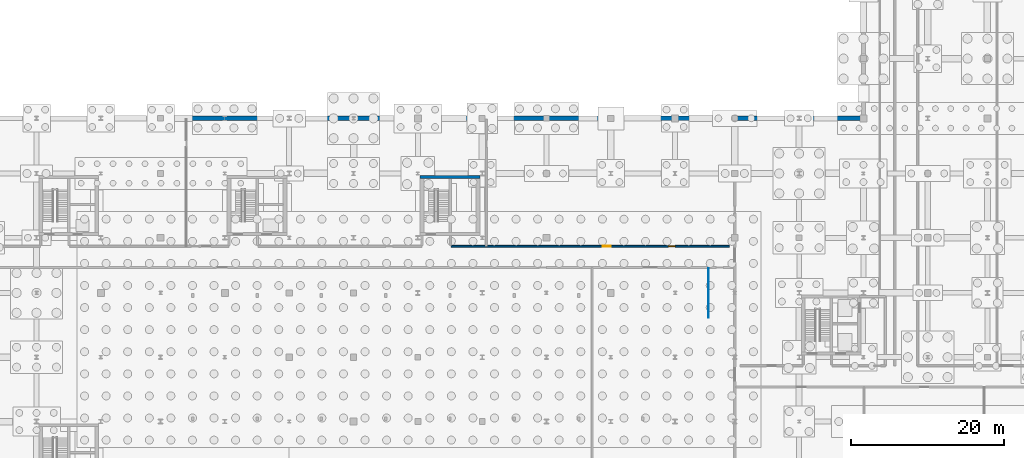
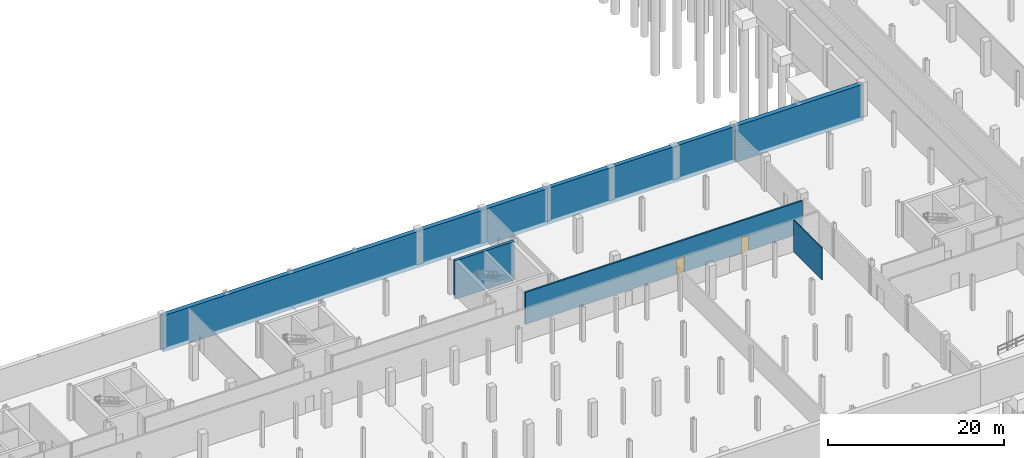
# One storey, part 24 of 32: 6 walls, 2 doors, 2 openings.
"""IFC4 building model written with IfcOpenShell, lengths in metres."""

from ifc_helpers import new_model, si_unit, direction, frame, frame_2d, origin_with_axes, place, context, subcontext, project, spatial, rectangle, extrude, material, layer, layer_set, type_object, element, fill, save


model = new_model("IFC4")

# Units and contexts
model_context = context("Model", 3, precision=1e-05, world=origin_with_axes(), true_north=direction((0.0, 1.0)))
body_context = subcontext(model_context, "Body", "Model", "MODEL_VIEW")
ifc_project = project(units=[si_unit("LENGTHUNIT", "METRE"), si_unit("AREAUNIT", "SQUARE_METRE"), si_unit("VOLUMEUNIT", "CUBIC_METRE"), si_unit("PLANEANGLEUNIT", "RADIAN"), si_unit("MASSUNIT", "GRAM", prefix="KILO"), si_unit("THERMODYNAMICTEMPERATUREUNIT", "KELVIN")], contexts=[model_context])

# Site, building, storey
site_placement = place(None, origin_with_axes())
site = spatial("IfcSite", under=ifc_project, at=site_placement, CompositionType="ELEMENT")
building_placement = place(site_placement, origin_with_axes())
building = spatial("IfcBuilding", under=site, at=building_placement, Name="Montbau Bow Law Courts", CompositionType="ELEMENT")
storey_placement = place(building_placement, frame((0.0, 0.0, -4.8), z_axis=(0.0, 0.0, 1.0), x_axis=(1.0, 0.0, 0.0)))
storey = spatial("IfcBuildingStorey", under=building, at=storey_placement, Name="B1", CompositionType="ELEMENT", Elevation=-4.8)

# Wall
ifc_material_1 = material(Name="Concrete CSA A23.1 f'c 45 MPa", Category="concrete")
ifc_layer_1 = layer(ifc_material_1, 0.38, Name="Shear Wall", Category="concrete")
ifc_layer_set_1 = layer_set([ifc_layer_1], Name="Concrete CSA A23.1 f'c 45 MPa")
wall_type_1 = type_object("IfcWallType", Name="W-COR-04", PredefinedType="SHEAR", material=ifc_layer_set_1)
wall_1_placement = place(None, frame((88.51, 54.12, -5.35), z_axis=(0.0, 0.0, 1.0), x_axis=(-1.0, 0.0, 0.0)))
element("IfcWall", 1, at=wall_1_placement, inside=storey, type_object=wall_type_1, Name="WC-B1-0215:wal_0282", PredefinedType="SHEAR", context=body_context, shape_type="SweptSolid", body=[
    extrude(rectangle(XDim=7.820000000000007, YDim=0.38, at=frame_2d((3.91, 0.0), x_axis=(1.0, 0.0))), origin_with_axes(), (0.0, 0.0, 1.0), 5.35),
])

# Wall, openings, doors
ifc_material_2 = material(Name="STC-60 High-Acoustic Courtroom Perimeter Partition", Category="gypsum")
ifc_layer_2 = layer(ifc_material_2, 0.22, Name="Partition", Category="gypsum")
ifc_layer_set_2 = layer_set([ifc_layer_2], Name="STC-60 High-Acoustic Courtroom Perimeter Partition")
wall_type_2 = type_object("IfcWallType", Name="W-PRT-02", PredefinedType="PARTITIONING", material=ifc_layer_set_2)
wall_2_placement = place(None, frame((84.75, 45.09, -4.8), z_axis=(0.0, 0.0, 1.0), x_axis=(1.0, 0.0, 0.0)))
wall_2 = element("IfcWall", 2, at=wall_2_placement, inside=storey, type_object=wall_type_2, Name="WP-B1-0582:wal_0649", PredefinedType="PARTITIONING", context=body_context, shape_type="SweptSolid", body=[
    extrude(rectangle(XDim=36.346000000000004, YDim=0.22, at=frame_2d((18.173, 0.0), x_axis=(1.0, 0.0))), origin_with_axes(), (0.0, 0.0, 1.0), 4.44),
])
opening_1_placement = place(None, frame((105.055, 45.09, -4.8), z_axis=(0.0, 0.0, 1.0), x_axis=(1.0, 0.0, 0.0)))
opening_1 = element("IfcOpeningElement", 3, at=opening_1_placement, cuts=wall_2, Name="OP-D-B1-216", PredefinedType="OPENING", context=body_context, shape_type="SweptSolid", body=[
    extrude(rectangle(XDim=1.05, YDim=2.15, at=frame_2d((0.0, 1.075), x_axis=(1.0, 0.0))), frame((0.0, 0.12, 0.0), z_axis=(0.0, -1.0, 0.0), x_axis=(1.0, 0.0, 0.0)), (0.0, 0.0, 1.0), 0.24),
])
opening_2_placement = place(None, frame((113.56, 45.09, -4.8), z_axis=(0.0, 0.0, 1.0), x_axis=(1.0, 0.0, 0.0)))
opening_2 = element("IfcOpeningElement", 4, at=opening_2_placement, cuts=wall_2, Name="OP-D-SEC-417", PredefinedType="OPENING", context=body_context, shape_type="SweptSolid", body=[
    extrude(rectangle(XDim=0.92, YDim=2.14, at=frame_2d((0.0, 1.07), x_axis=(1.0, 0.0))), frame((0.0, 0.12, 0.0), z_axis=(0.0, -1.0, 0.0), x_axis=(1.0, 0.0, 0.0)), (0.0, 0.0, 1.0), 0.24),
])
ifc_material_3 = material(Name="1.5 h Fire Command Room Hollow-Metal Door", Category="steel")
door_type_1 = type_object("IfcDoorType", Name="D-FCC-01", OperationType="NOTDEFINED", ParameterTakesPrecedence=False, PredefinedType="DOOR", material=ifc_material_3)
door_1_placement = place(None, frame((105.055, 45.09, -4.8), z_axis=(0.0, 0.0, 1.0), x_axis=(-1.0, 0.0, 0.0)))
door_1 = element("IfcDoor", 5, at=door_1_placement, inside=storey, type_object=door_type_1, Name="D-B1-216:dor_0251", OperationType="SINGLE_SWING_LEFT", OverallHeight=2.15, OverallWidth=1.05, PredefinedType="DOOR", context=body_context, shape_type="SweptSolid", body=[
    extrude(rectangle(XDim=1.05, YDim=2.15, at=frame_2d((0.0, 1.075), x_axis=(1.0, 0.0))), frame((0.0, 0.04, 0.0), z_axis=(0.0, -1.0, 0.0), x_axis=(1.0, 0.0, 0.0)), (0.0, 0.0, 1.0), 0.08),
])
fill(opening_1, door_1)
ifc_material_4 = material(Name="Judicial Law Clerk and Registry Office Oak Door", Category="wood")
door_type_2 = type_object("IfcDoorType", Name="D-OFF-01", OperationType="NOTDEFINED", ParameterTakesPrecedence=False, PredefinedType="DOOR", material=ifc_material_4)
door_2_placement = place(None, frame((113.56, 45.09, -4.8), z_axis=(0.0, 0.0, 1.0), x_axis=(1.0, 0.0, 0.0)))
door_2 = element("IfcDoor", 6, at=door_2_placement, inside=storey, type_object=door_type_2, Name="D-SEC-417:dor_0452", OperationType="SINGLE_SWING_RIGHT", OverallHeight=2.14, OverallWidth=0.92, PredefinedType="DOOR", context=body_context, shape_type="SweptSolid", body=[
    extrude(rectangle(XDim=0.92, YDim=2.14, at=frame_2d((0.0, 1.07), x_axis=(1.0, 0.0))), frame((0.0, 0.04, 0.0), z_axis=(0.0, -1.0, 0.0), x_axis=(1.0, 0.0, 0.0)), (0.0, 0.0, 1.0), 0.08),
])
fill(opening_2, door_2)

# Walls
ifc_material_5 = material(Name="Washroom Vestibule Furring Partition", Category="gypsum")
ifc_layer_3 = layer(ifc_material_5, 0.1, Name="Partition", Category="gypsum")
ifc_layer_set_3 = layer_set([ifc_layer_3], Name="Washroom Vestibule Furring Partition")
wall_type_3 = type_object("IfcWallType", Name="W-PRT-08", PredefinedType="PARTITIONING", material=ifc_layer_set_3)
wall_3_placement = place(None, frame((118.36, 35.78, -4.8), z_axis=(0.0, 0.0, 1.0), x_axis=(0.0, 1.0, 0.0)))
element("IfcWall", 7, at=wall_3_placement, inside=storey, type_object=wall_type_3, Name="WD-B1-0584:wal_0651", PredefinedType="PARTITIONING", context=body_context, shape_type="SweptSolid", body=[
    extrude(rectangle(XDim=6.43, YDim=0.1, at=frame_2d((3.215, 0.0), x_axis=(1.0, 0.0))), origin_with_axes(), (0.0, 0.0, 1.0), 4.44),
])
ifc_material_6 = material(Name="Concrete CSA A23.1 f'c 40 MPa", Category="concrete")
ifc_layer_4 = layer(ifc_material_6, 0.55, Name="Retaining Wall", Category="concrete")
ifc_layer_set_4 = layer_set([ifc_layer_4], Name="Concrete CSA A23.1 f'c 40 MPa")
wall_type_4 = type_object("IfcWallType", Name="W-RET-01", PredefinedType="USERDEFINED", material=ifc_layer_set_4)
wall_4_placement = place(None, frame((121.8, 61.8, -5.35), z_axis=(0.0, 0.0, 1.0), x_axis=(-1.0, 0.0, 0.0)))
element("IfcWall", 8, at=wall_4_placement, inside=storey, type_object=wall_type_4, Name="WR-B1-13:wal_0013", ObjectType="RETAININGWALL", PredefinedType="USERDEFINED", context=body_context, shape_type="SweptSolid", body=[
    extrude(rectangle(XDim=24.599999999999994, YDim=0.55, at=frame_2d((12.3, 0.0), x_axis=(1.0, 0.0))), origin_with_axes(), (0.0, 0.0, 1.0), 5.01),
])
ifc_layer_5 = layer(ifc_material_6, 0.6, Name="Retaining Wall", Category="concrete")
ifc_layer_set_5 = layer_set([ifc_layer_5], Name="Concrete CSA A23.1 f'c 40 MPa")
wall_type_5 = type_object("IfcWallType", Name="W-RET-02", PredefinedType="USERDEFINED", material=ifc_layer_set_5)
wall_5_placement = place(None, frame((138.6, 61.8, -5.35), z_axis=(0.0, 0.0, 1.0), x_axis=(-1.0, 0.0, 0.0)))
element("IfcWall", 9, at=wall_5_placement, inside=storey, type_object=wall_type_5, Name="WR-B1-12:wal_0012", ObjectType="RETAININGWALL", PredefinedType="USERDEFINED", context=body_context, shape_type="SweptSolid", body=[
    extrude(rectangle(XDim=16.799999999999997, YDim=0.6, at=frame_2d((8.4, 0.0), x_axis=(1.0, 0.0))), origin_with_axes(), (0.0, 0.0, 1.0), 5.01),
])
wall_6_placement = place(None, frame((97.2, 61.8, -5.35), z_axis=(0.0, 0.0, 1.0), x_axis=(-1.0, 0.0, 0.0)))
element("IfcWall", 10, at=wall_6_placement, inside=storey, type_object=wall_type_5, Name="WR-B1-14:wal_0014", ObjectType="RETAININGWALL", PredefinedType="USERDEFINED", context=body_context, shape_type="SweptSolid", body=[
    extrude(rectangle(XDim=50.400000000000006, YDim=0.6, at=frame_2d((25.2, 0.0), x_axis=(1.0, 0.0))), origin_with_axes(), (0.0, 0.0, 1.0), 5.01),
])

save(model, "model.ifc")
